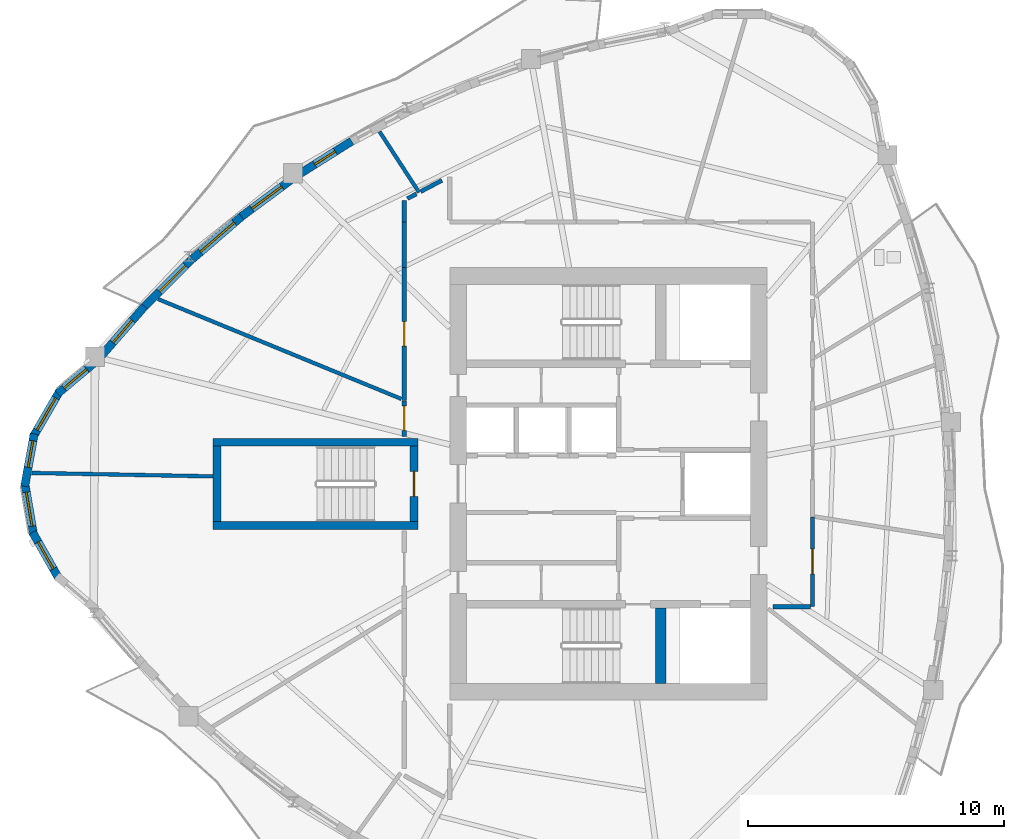
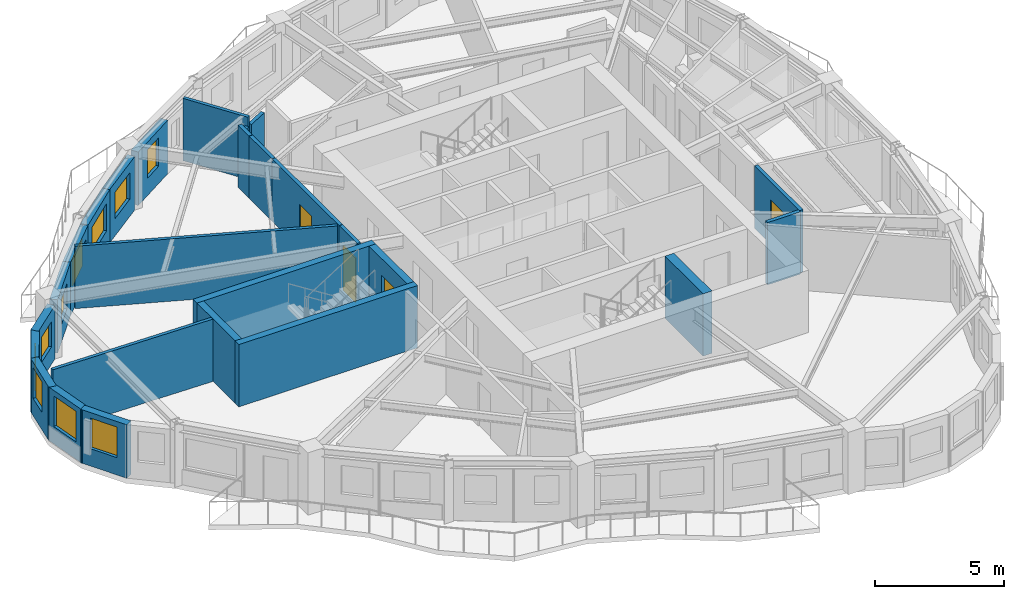
# One storey, part 4 of 12: 26 walls, 10 windows, 4 doors, 14 openings.
"""IFC4 building model written with IfcOpenShell, lengths in metres."""

from ifc_helpers import new_model, si_unit, direction, frame, frame_2d, origin, place, context, subcontext, project, spatial, rectangle, extrude, source, transform, mapped, material, layer, layer_set, type_object, element, fill, save


model = new_model("IFC4")

# Units and contexts
model_context = context("Model", 3, precision=1e-05, world=origin(), true_north=direction((0.0, 1.0)))
body_context = subcontext(model_context, "Body", "Model", "MODEL_VIEW")
ifc_project = project(units=[si_unit("LENGTHUNIT", "METRE"), si_unit("AREAUNIT", "SQUARE_METRE"), si_unit("VOLUMEUNIT", "CUBIC_METRE"), si_unit("PLANEANGLEUNIT", "RADIAN"), si_unit("MASSUNIT", "GRAM", prefix="KILO")], contexts=[model_context])

# Site, building, storey
site_placement = place(None, origin())
site = spatial("IfcSite", under=ifc_project, at=site_placement, CompositionType="ELEMENT")
building_placement = place(site_placement, origin())
building = spatial("IfcBuilding", under=site, at=building_placement, Name="Qafzar Sky-Pleat Residences", CompositionType="ELEMENT")
storey_placement = place(building_placement, frame((0.0, 0.0, 171.39990234375)))
storey = spatial("IfcBuildingStorey", under=building, at=storey_placement, Name="L51", CompositionType="ELEMENT", Elevation=171.39990234375)

# Wall, opening, door
ifc_material_1 = material(Name="Acoustic gypsum plasterboard partition", Category="gypsum")
ifc_layer_1 = layer(ifc_material_1, 0.159912109375)
ifc_layer_set_1 = layer_set([ifc_layer_1], Name="Acoustic gypsum plasterboard partition")
wall_type_1 = type_object("IfcWallType", Name="PART-COR-160", PredefinedType="PARTITIONING", material=ifc_layer_set_1)
wall_1_placement = place(storey_placement, frame((22.3701171875, 29.259033203125, 0.0), z_axis=(0.0, 0.0, 1.0), x_axis=(0.0, 1.0, 0.0)))
wall_1 = element("IfcWall", 1, at=wall_1_placement, inside=storey, type_object=wall_type_1, Name="L51 Partition Wall PART-L51-PW-002", PredefinedType="PARTITIONING", context=body_context, shape_type="SweptSolid", body=[
    extrude(rectangle(XDim=5.19091796875, YDim=0.159912109375, at=frame_2d((2.595458984375, 0.0))), origin(), (0.0, 0.0, 1.0), 2.9501953125),
])
opening_1_placement = place(wall_1_placement, frame((2.12353515625, 0.0, 0.0)))
opening_1 = element("IfcOpeningElement", 2, at=opening_1_placement, cuts=wall_1, Name="Opening ID-06", PredefinedType="OPENING", context=body_context, shape_type="SweptSolid", body=[
    extrude(rectangle(XDim=0.9599609375, YDim=2.10009765625, at=frame_2d((0.47998046875, 1.050048828125))), frame((0.0, 0.08984375, 0.0), z_axis=(0.0, -1.0, 0.0), x_axis=(1.0, 0.0, 0.0)), (0.0, 0.0, 1.0), 0.179931640625),
])
ifc_material_2 = material(Name="Timber-faced fire door", Category="wood")
door_type_1 = type_object("IfcDoorType", Name="DR-STD-960", OperationType="NOTDEFINED", PredefinedType="DOOR", material=ifc_material_2)
shared_shape_1 = source(origin(), body_context, "Body", "SweptSolid", [
    extrude(rectangle(XDim=0.9599609375, YDim=2.10009765625, at=frame_2d((0.47998046875, 1.050048828125))), frame((0.0, 0.02490234375, 0.0), z_axis=(0.0, -1.0, 0.0), x_axis=(1.0, 0.0, 0.0)), (0.0, 0.0, 1.0), 0.050048828125),
])
door_1_placement = place(opening_1_placement, origin())
door_1 = element("IfcDoor", 3, at=door_1_placement, inside=storey, type_object=door_type_1, Name="L51 Faculty Research Office Door", OperationType="SINGLE_SWING_RIGHT", OverallHeight=2.10009765625, OverallWidth=0.9599609375, PredefinedType="DOOR", context=body_context, shape_type="MappedRepresentation", body=[
    mapped(shared_shape_1, transform((0.0, 0.0, 0.0), x_axis=(1.0, 0.0, 0.0), y_axis=(0.0, 1.0, 0.0), z_axis=(0.0, 0.0, 1.0), scale=1.0)),
])
fill(opening_1, door_1)

wall_2_placement = place(storey_placement, frame((38.330078125, 24.705078125, 0.0), z_axis=(0.0, 0.0, 1.0), x_axis=(0.0, -1.0, 0.0)))
wall_2 = element("IfcWall", 4, at=wall_2_placement, inside=storey, type_object=wall_type_1, Name="L51 Partition Wall PART-L51-PW-007", PredefinedType="PARTITIONING", context=body_context, shape_type="SweptSolid", body=[
    extrude(rectangle(XDim=3.505126953125, YDim=0.159912109375, at=frame_2d((1.75244140625, 0.0))), origin(), (0.0, 0.0, 1.0), 2.9501953125),
])
opening_2_placement = place(wall_2_placement, frame((1.257568359375, 0.0, 0.0)))
opening_2 = element("IfcOpeningElement", 5, at=opening_2_placement, cuts=wall_2, Name="Opening ID-06", PredefinedType="OPENING", context=body_context, shape_type="SweptSolid", body=[
    extrude(rectangle(XDim=0.9599609375, YDim=2.10009765625, at=frame_2d((0.47998046875, 1.050048828125))), frame((0.0, 0.08984375, 0.0), z_axis=(0.0, -1.0, 0.0), x_axis=(1.0, 0.0, 0.0)), (0.0, 0.0, 1.0), 0.179931640625),
])
door_2_placement = place(opening_2_placement, origin())
door_2 = element("IfcDoor", 6, at=door_2_placement, inside=storey, type_object=door_type_1, Name="L51 Media Screening Room Door", OperationType="SINGLE_SWING_LEFT", OverallHeight=2.10009765625, OverallWidth=0.9599609375, PredefinedType="DOOR", context=body_context, shape_type="MappedRepresentation", body=[
    mapped(shared_shape_1, transform((0.0, 0.0, 0.0), x_axis=(1.0, 0.0, 0.0), y_axis=(0.0, 1.0, 0.0), z_axis=(0.0, 0.0, 1.0), scale=1.0)),
])
fill(opening_2, door_2)

wall_3_placement = place(storey_placement, frame((22.3701171875, 27.85009765625, 0.0), z_axis=(0.0, 0.0, 1.0), x_axis=(0.0, 1.0, 0.0)))
wall_3 = element("IfcWall", 7, at=wall_3_placement, inside=storey, type_object=wall_type_1, Name="L51 Partition Wall PART-L51-PW-012", PredefinedType="PARTITIONING", context=body_context, shape_type="SweptSolid", body=[
    extrude(rectangle(XDim=1.393798828125, YDim=0.159912109375, at=frame_2d((0.69677734375, 0.0))), origin(), (0.0, 0.0, 1.0), 2.9501953125),
])
opening_3_placement = place(wall_3_placement, frame((0.23876953125, 0.0, 0.0)))
opening_3 = element("IfcOpeningElement", 8, at=opening_3_placement, cuts=wall_3, Name="Opening ID-06", PredefinedType="OPENING", context=body_context, shape_type="SweptSolid", body=[
    extrude(rectangle(XDim=0.9599609375, YDim=2.10009765625, at=frame_2d((0.47998046875, 1.050048828125))), frame((0.0, 0.08984375, 0.0), z_axis=(0.0, -1.0, 0.0), x_axis=(1.0, 0.0, 0.0)), (0.0, 0.0, 1.0), 0.179931640625),
])
door_3_placement = place(opening_3_placement, origin())
door_3 = element("IfcDoor", 9, at=door_3_placement, inside=storey, type_object=door_type_1, Name="L51 Scholar Co-Working Workspace Door", OperationType="SINGLE_SWING_RIGHT", OverallHeight=2.10009765625, OverallWidth=0.9599609375, PredefinedType="DOOR", context=body_context, shape_type="MappedRepresentation", body=[
    mapped(shared_shape_1, transform((0.0, 0.0, 0.0), x_axis=(1.0, 0.0, 0.0), y_axis=(0.0, 1.0, 0.0), z_axis=(0.0, 0.0, 1.0), scale=1.0)),
])
fill(opening_3, door_3)

# Walls
wall_4_placement = place(storey_placement, frame((36.7783203125, 21.199951171875, 0.0), z_axis=(0.0, 0.0, 1.0), x_axis=(1.0, 0.0, 0.0)))
element("IfcWall", 10, at=wall_4_placement, inside=storey, type_object=wall_type_1, Name="L51 Partition Wall PART-L51-PW-025", PredefinedType="PARTITIONING", context=body_context, shape_type="SweptSolid", body=[
    extrude(rectangle(XDim=1.463623046875, YDim=0.159912109375, at=frame_2d((0.73193359375, 0.0))), origin(), (0.0, 0.0, 1.0), 2.9501953125),
])
wall_5_placement = place(storey_placement, frame((22.3701171875, 34.465087890625, 0.0), z_axis=(0.0, 0.0, 1.0), x_axis=(0.0, 1.0, 0.0)))
element("IfcWall", 11, at=wall_5_placement, inside=storey, type_object=wall_type_1, Name="L51 Partition Wall PART-L51-PW-030", PredefinedType="PARTITIONING", context=body_context, shape_type="SweptSolid", body=[
    extrude(rectangle(XDim=1.764892578125, YDim=0.159912109375, at=frame_2d((0.88232421875, 0.0))), origin(), (0.0, 0.0, 1.0), 2.9501953125),
])
wall_6_placement = place(storey_placement, frame((23.013916015625, 37.426025390625, 0.0), z_axis=(0.0, 0.0, 1.0), x_axis=(0.884432472224, 0.466668192697, 0.0)))
element("IfcWall", 12, at=wall_6_placement, inside=storey, type_object=wall_type_1, Name="L51 Partition Wall PART-L51-PW-032", PredefinedType="PARTITIONING", context=body_context, shape_type="SweptSolid", body=[
    extrude(rectangle(XDim=0.9384765625, YDim=0.159912109375, at=frame_2d((0.46923828125, 0.0))), origin(), (0.0, 0.0, 1.0), 2.55810546875),
])
wall_7_placement = place(storey_placement, frame((22.3701171875, 36.2451171875, 0.0), z_axis=(0.0, 0.0, 1.0), x_axis=(0.0, 1.0, 0.0)))
element("IfcWall", 13, at=wall_7_placement, inside=storey, type_object=wall_type_1, Name="L51 Partition Wall PART-L51-PW-033", PredefinedType="PARTITIONING", context=body_context, shape_type="SweptSolid", body=[
    extrude(rectangle(XDim=0.8408203125, YDim=0.159912109375, at=frame_2d((0.42041015625, 0.0))), origin(), (0.0, 0.0, 1.0), 2.9501953125),
])
wall_8_placement = place(storey_placement, frame((22.494384765625, 37.151611328125, 0.0), z_axis=(0.0, 0.0, 1.0), x_axis=(0.884356504768, 0.466812138311, 0.0)))
element("IfcWall", 14, at=wall_8_placement, inside=storey, type_object=wall_type_1, Name="L51 Partition Wall PART-L51-PW-034", PredefinedType="PARTITIONING", context=body_context, shape_type="SweptSolid", body=[
    extrude(rectangle(XDim=0.396484375, YDim=0.159912109375, at=frame_2d((0.1982421875, 0.0))), origin(), (0.0, 0.0, 1.0), 2.55810546875),
])
ifc_layer_2 = layer(ifc_material_1, 0.14501953125)
ifc_layer_set_2 = layer_set([ifc_layer_2], Name="Acoustic gypsum plasterboard partition")
wall_type_2 = type_object("IfcWallType", Name="PART-UNIT-145", PredefinedType="PARTITIONING", material=ifc_layer_set_2)
wall_9_placement = place(storey_placement, frame((12.74853515625, 33.22265625, 0.0), z_axis=(0.0, 0.0, 1.0), x_axis=(0.925160061079, -0.379577213996, 0.0)))
element("IfcWall", 15, at=wall_9_placement, inside=storey, type_object=wall_type_2, Name="L51 Partition Wall PART-L51-PW-013", PredefinedType="PARTITIONING", context=body_context, shape_type="SweptSolid", body=[
    extrude(rectangle(XDim=10.275634765625, YDim=0.14501953125, at=frame_2d((5.1376953125, 0.0))), origin(), (0.0, 0.0, 1.0), 2.9501953125),
])
wall_10_placement = place(storey_placement, frame((7.810546875, 26.428466796875, 0.0), z_axis=(0.0, 0.0, 1.0), x_axis=(0.99982020308, -0.0189621073, 0.0)))
element("IfcWall", 16, at=wall_10_placement, inside=storey, type_object=wall_type_2, Name="L51 Partition Wall PART-L51-PW-017", PredefinedType="PARTITIONING", context=body_context, shape_type="SweptSolid", body=[
    extrude(rectangle(XDim=7.081298828125, YDim=0.14501953125, at=frame_2d((3.54052734375, 0.0))), origin(), (0.0, 0.0, 1.0), 2.9501953125),
])
wall_11_placement = place(storey_placement, frame((21.404541015625, 39.771240234375, 0.0), z_axis=(0.0, 0.0, 1.0), x_axis=(0.544731217197, -0.838610696933, 0.0)))
element("IfcWall", 17, at=wall_11_placement, inside=storey, type_object=wall_type_2, Name="L51 Partition Wall PART-L51-PW-024", PredefinedType="PARTITIONING", context=body_context, shape_type="SweptSolid", body=[
    extrude(rectangle(XDim=2.8369140625, YDim=0.14501953125, at=frame_2d((1.41845703125, 0.0))), origin(), (0.0, 0.0, 1.0), 2.9501953125),
])

# Wall, opening, window
ifc_material_3 = material(Name="Precast concrete C40/50 with honed Riyadh limestone", Category="concrete")
ifc_layer_3 = layer(ifc_material_3, 0.320068359375)
ifc_layer_set_3 = layer_set([ifc_layer_3], Name="Precast concrete C40/50 with honed Riyadh limestone")
wall_type_3 = type_object("IfcWallType", Name="WALL-EXT-320", PredefinedType="SOLIDWALL", material=ifc_layer_set_3)
wall_12_placement = place(storey_placement, frame((10.259521484375, 30.738525390625, 0.0), z_axis=(0.0, 0.0, 1.0), x_axis=(-0.766567176116, -0.642164125829, 0.0)))
wall_12 = element("IfcWall", 18, at=wall_12_placement, inside=storey, type_object=wall_type_3, Name="L51 Limestone Facade Wall 1", PredefinedType="SOLIDWALL", context=body_context, shape_type="SweptSolid", body=[
    extrude(rectangle(XDim=1.878173828125, YDim=0.320068359375, at=frame_2d((0.93896484375, 0.0))), origin(), (0.0, 0.0, 1.0), 2.530029296875),
])
opening_4_placement = place(wall_12_placement, frame((0.39892578125, 0.0, 0.820068359375)))
opening_4 = element("IfcOpeningElement", 19, at=opening_4_placement, cuts=wall_12, Name="Opening WN-16", PredefinedType="OPENING", context=body_context, shape_type="SweptSolid", body=[
    extrude(rectangle(XDim=1.14990234375, YDim=1.199951171875, at=frame_2d((0.574951171875, 0.60009765625))), frame((0.0, 0.169921875, 0.0), z_axis=(0.0, -1.0, 0.0), x_axis=(1.0, 0.0, 0.0)), (0.0, 0.0, 1.0), 0.340087890625),
])
ifc_material_4 = material(Name="Solar-control low-E glass in bronze aluminium frame", Category="glass")
window_type_1 = type_object("IfcWindowType", Name="WIN-16", PartitioningType="SINGLE_PANEL", PredefinedType="WINDOW", material=ifc_material_4)
shared_shape_2 = source(origin(), body_context, "Body", "SweptSolid", [
    extrude(rectangle(XDim=1.14990234375, YDim=1.199951171875, at=frame_2d((0.574951171875, 0.60009765625))), frame((0.0, 0.030029296875, 0.0), z_axis=(0.0, -1.0, 0.0), x_axis=(1.0, 0.0, 0.0)), (0.0, 0.0, 1.0), 0.06005859375),
])
window_1_placement = place(opening_4_placement, origin())
window_1 = element("IfcWindow", 20, at=window_1_placement, inside=storey, type_object=window_type_1, Name="L51 Punched Facade Window 01", OverallHeight=1.199951171875, OverallWidth=1.14990234375, PartitioningType="SINGLE_PANEL", PredefinedType="WINDOW", context=body_context, shape_type="MappedRepresentation", body=[
    mapped(shared_shape_2, transform((0.0, 0.0, 0.0), x_axis=(1.0, 0.0, 0.0), y_axis=(0.0, 1.0, 0.0), z_axis=(0.0, 0.0, 1.0), scale=1.0)),
])
fill(opening_4, window_1)

wall_13_placement = place(storey_placement, frame((8.90380859375, 29.632080078125, 0.0), z_axis=(0.0, 0.0, 1.0), x_axis=(-0.502090235641, -0.864815237651, 0.0)))
wall_13 = element("IfcWall", 21, at=wall_13_placement, inside=storey, type_object=wall_type_3, Name="L51 Limestone Facade Wall 2", PredefinedType="SOLIDWALL", context=body_context, shape_type="SweptSolid", body=[
    extrude(rectangle(XDim=2.0810546875, YDim=0.320068359375, at=frame_2d((1.04052734375, 0.0))), origin(), (0.0, 0.0, 1.0), 2.530029296875),
])
opening_5_placement = place(wall_13_placement, frame((0.3154296875, 0.0, 0.820068359375)))
opening_5 = element("IfcOpeningElement", 22, at=opening_5_placement, cuts=wall_13, Name="Opening WN-15", PredefinedType="OPENING", context=body_context, shape_type="SweptSolid", body=[
    extrude(rectangle(XDim=1.449951171875, YDim=1.25, at=frame_2d((0.72509765625, 0.625))), frame((0.0, 0.169921875, 0.0), z_axis=(0.0, -1.0, 0.0), x_axis=(1.0, 0.0, 0.0)), (0.0, 0.0, 1.0), 0.340087890625),
])
window_type_2 = type_object("IfcWindowType", Name="WIN-15", PartitioningType="SINGLE_PANEL", PredefinedType="WINDOW", material=ifc_material_4)
shared_shape_3 = source(origin(), body_context, "Body", "SweptSolid", [
    extrude(rectangle(XDim=1.449951171875, YDim=1.25, at=frame_2d((0.72509765625, 0.625))), frame((0.0, 0.030029296875, 0.0), z_axis=(0.0, -1.0, 0.0), x_axis=(1.0, 0.0, 0.0)), (0.0, 0.0, 1.0), 0.06005859375),
])
window_2_placement = place(opening_5_placement, origin())
window_2 = element("IfcWindow", 23, at=window_2_placement, inside=storey, type_object=window_type_2, Name="L51 Punched Facade Window 02", OverallHeight=1.25, OverallWidth=1.449951171875, PartitioningType="SINGLE_PANEL", PredefinedType="WINDOW", context=body_context, shape_type="MappedRepresentation", body=[
    mapped(shared_shape_3, transform((0.0, 0.0, 0.0), x_axis=(1.0, 0.0, 0.0), y_axis=(0.0, 1.0, 0.0), z_axis=(0.0, 0.0, 1.0), scale=1.0)),
])
fill(opening_5, window_2)

wall_14_placement = place(storey_placement, frame((7.90380859375, 27.95458984375, 0.0), z_axis=(0.0, 0.0, 1.0), x_axis=(-0.177605215389, -0.984101817632, 0.0)))
wall_14 = element("IfcWall", 24, at=wall_14_placement, inside=storey, type_object=wall_type_3, Name="L51 Limestone Facade Wall 3", PredefinedType="SOLIDWALL", context=body_context, shape_type="SweptSolid", body=[
    extrude(rectangle(XDim=2.081298828125, YDim=0.320068359375, at=frame_2d((1.04052734375, 0.0))), origin(), (0.0, 0.0, 1.0), 2.530029296875),
])
opening_6_placement = place(wall_14_placement, frame((0.276611328125, 0.0, 0.820068359375)))
opening_6 = element("IfcOpeningElement", 25, at=opening_6_placement, cuts=wall_14, Name="Opening WN-06", PredefinedType="OPENING", context=body_context, shape_type="SweptSolid", body=[
    extrude(rectangle(XDim=1.050048828125, YDim=1.449951171875, at=frame_2d((0.52490234375, 0.72509765625))), frame((0.0, 0.169921875, 0.0), z_axis=(0.0, -1.0, 0.0), x_axis=(1.0, 0.0, 0.0)), (0.0, 0.0, 1.0), 0.340087890625),
])
window_type_3 = type_object("IfcWindowType", Name="WIN-06", PartitioningType="SINGLE_PANEL", PredefinedType="WINDOW", material=ifc_material_4)
shared_shape_4 = source(origin(), body_context, "Body", "SweptSolid", [
    extrude(rectangle(XDim=1.050048828125, YDim=1.449951171875, at=frame_2d((0.52490234375, 0.72509765625))), frame((0.0, 0.030029296875, 0.0), z_axis=(0.0, -1.0, 0.0), x_axis=(1.0, 0.0, 0.0)), (0.0, 0.0, 1.0), 0.06005859375),
])
window_3_placement = place(opening_6_placement, origin())
window_3 = element("IfcWindow", 26, at=window_3_placement, inside=storey, type_object=window_type_3, Name="L51 Punched Facade Window 03", OverallHeight=1.449951171875, OverallWidth=1.050048828125, PartitioningType="SINGLE_PANEL", PredefinedType="WINDOW", context=body_context, shape_type="MappedRepresentation", body=[
    mapped(shared_shape_4, transform((0.0, 0.0, 0.0), x_axis=(1.0, 0.0, 0.0), y_axis=(0.0, 1.0, 0.0), z_axis=(0.0, 0.0, 1.0), scale=1.0)),
])
fill(opening_6, window_3)

wall_15_placement = place(storey_placement, frame((7.53466796875, 26.03662109375, 0.0), z_axis=(0.0, 0.0, 1.0), x_axis=(0.168107405166, -0.985768685001, 0.0)))
wall_15 = element("IfcWall", 27, at=wall_15_placement, inside=storey, type_object=wall_type_3, Name="L51 Limestone Facade Wall 4", PredefinedType="SOLIDWALL", context=body_context, shape_type="SweptSolid", body=[
    extrude(rectangle(XDim=2.0810546875, YDim=0.320068359375, at=frame_2d((1.04052734375, 0.0))), origin(), (0.0, 0.0, 1.0), 2.530029296875),
])
opening_7_placement = place(wall_15_placement, frame((0.365478515625, 0.0, 0.820068359375)))
opening_7 = element("IfcOpeningElement", 28, at=opening_7_placement, cuts=wall_15, Name="Opening WN-04", PredefinedType="OPENING", context=body_context, shape_type="SweptSolid", body=[
    extrude(rectangle(XDim=1.35009765625, YDim=1.449951171875, at=frame_2d((0.675048828125, 0.72509765625))), frame((0.0, 0.169921875, 0.0), z_axis=(0.0, -1.0, 0.0), x_axis=(1.0, 0.0, 0.0)), (0.0, 0.0, 1.0), 0.340087890625),
])
window_type_4 = type_object("IfcWindowType", Name="WIN-04", PartitioningType="SINGLE_PANEL", PredefinedType="WINDOW", material=ifc_material_4)
shared_shape_5 = source(origin(), body_context, "Body", "SweptSolid", [
    extrude(rectangle(XDim=1.35009765625, YDim=1.449951171875, at=frame_2d((0.675048828125, 0.72509765625))), frame((0.0, 0.030029296875, 0.0), z_axis=(0.0, -1.0, 0.0), x_axis=(1.0, 0.0, 0.0)), (0.0, 0.0, 1.0), 0.06005859375),
])
window_4_placement = place(opening_7_placement, origin())
window_4 = element("IfcWindow", 29, at=window_4_placement, inside=storey, type_object=window_type_4, Name="L51 Punched Facade Window 04", OverallHeight=1.449951171875, OverallWidth=1.35009765625, PartitioningType="SINGLE_PANEL", PredefinedType="WINDOW", context=body_context, shape_type="MappedRepresentation", body=[
    mapped(shared_shape_5, transform((0.0, 0.0, 0.0), x_axis=(1.0, 0.0, 0.0), y_axis=(0.0, 1.0, 0.0), z_axis=(0.0, 0.0, 1.0), scale=1.0)),
])
fill(opening_7, window_4)

wall_16_placement = place(storey_placement, frame((7.8408203125, 24.10791015625, 0.0), z_axis=(0.0, 0.0, 1.0), x_axis=(0.493660675866, -0.869654607936, 0.0)))
wall_16 = element("IfcWall", 30, at=wall_16_placement, inside=storey, type_object=wall_type_3, Name="L51 Limestone Facade Wall 5", PredefinedType="SOLIDWALL", context=body_context, shape_type="SweptSolid", body=[
    extrude(rectangle(XDim=2.0810546875, YDim=0.320068359375, at=frame_2d((1.04052734375, 0.0))), origin(), (0.0, 0.0, 1.0), 2.530029296875),
])
opening_8_placement = place(wall_16_placement, frame((0.4404296875, 0.0, 0.820068359375)))
opening_8 = element("IfcOpeningElement", 31, at=opening_8_placement, cuts=wall_16, Name="Opening WN-05", PredefinedType="OPENING", context=body_context, shape_type="SweptSolid", body=[
    extrude(rectangle(XDim=1.199951171875, YDim=1.449951171875, at=frame_2d((0.60009765625, 0.72509765625))), frame((0.0, 0.169921875, 0.0), z_axis=(0.0, -1.0, 0.0), x_axis=(1.0, 0.0, 0.0)), (0.0, 0.0, 1.0), 0.340087890625),
])
window_type_5 = type_object("IfcWindowType", Name="WIN-05", PartitioningType="SINGLE_PANEL", PredefinedType="WINDOW", material=ifc_material_4)
shared_shape_6 = source(origin(), body_context, "Body", "SweptSolid", [
    extrude(rectangle(XDim=1.199951171875, YDim=1.449951171875, at=frame_2d((0.60009765625, 0.72509765625))), frame((0.0, 0.030029296875, 0.0), z_axis=(0.0, -1.0, 0.0), x_axis=(1.0, 0.0, 0.0)), (0.0, 0.0, 1.0), 0.06005859375),
])
window_5_placement = place(opening_8_placement, origin())
window_5 = element("IfcWindow", 32, at=window_5_placement, inside=storey, type_object=window_type_5, Name="L51 Punched Facade Window 05", OverallHeight=1.449951171875, OverallWidth=1.199951171875, PartitioningType="SINGLE_PANEL", PredefinedType="WINDOW", context=body_context, shape_type="MappedRepresentation", body=[
    mapped(shared_shape_6, transform((0.0, 0.0, 0.0), x_axis=(1.0, 0.0, 0.0), y_axis=(0.0, 1.0, 0.0), z_axis=(0.0, 0.0, 1.0), scale=1.0)),
])
fill(opening_8, window_5)

wall_17_placement = place(storey_placement, frame((20.315673828125, 39.397705078125, 0.0), z_axis=(0.0, 0.0, 1.0), x_axis=(-0.846391108811, -0.532561818878, 0.0)))
wall_17 = element("IfcWall", 33, at=wall_17_placement, inside=storey, type_object=wall_type_3, Name="L51 Limestone Facade Wall 44", PredefinedType="SOLIDWALL", context=body_context, shape_type="SweptSolid", body=[
    extrude(rectangle(XDim=2.446533203125, YDim=0.320068359375, at=frame_2d((1.22314453125, 0.0))), origin(), (0.0, 0.0, 1.0), 2.530029296875),
])
opening_9_placement = place(wall_17_placement, frame((0.75341796875, 0.0, 0.820068359375)))
opening_9 = element("IfcOpeningElement", 34, at=opening_9_placement, cuts=wall_17, Name="Opening WN-12", PredefinedType="OPENING", context=body_context, shape_type="SweptSolid", body=[
    extrude(rectangle(XDim=0.949951171875, YDim=1.35009765625, at=frame_2d((0.47509765625, 0.675048828125))), frame((0.0, 0.169921875, 0.0), z_axis=(0.0, -1.0, 0.0), x_axis=(1.0, 0.0, 0.0)), (0.0, 0.0, 1.0), 0.340087890625),
])
window_type_6 = type_object("IfcWindowType", Name="WIN-12", PartitioningType="SINGLE_PANEL", PredefinedType="WINDOW", material=ifc_material_4)
shared_shape_7 = source(origin(), body_context, "Body", "SweptSolid", [
    extrude(rectangle(XDim=0.949951171875, YDim=1.35009765625, at=frame_2d((0.47509765625, 0.675048828125))), frame((0.0, 0.030029296875, 0.0), z_axis=(0.0, -1.0, 0.0), x_axis=(1.0, 0.0, 0.0)), (0.0, 0.0, 1.0), 0.06005859375),
])
window_6_placement = place(opening_9_placement, origin())
window_6 = element("IfcWindow", 35, at=window_6_placement, inside=storey, type_object=window_type_6, Name="L51 Punched Facade Window 44", OverallHeight=1.35009765625, OverallWidth=0.949951171875, PartitioningType="SINGLE_PANEL", PredefinedType="WINDOW", context=body_context, shape_type="MappedRepresentation", body=[
    mapped(shared_shape_7, transform((0.0, 0.0, 0.0), x_axis=(1.0, 0.0, 0.0), y_axis=(0.0, 1.0, 0.0), z_axis=(0.0, 0.0, 1.0), scale=1.0)),
])
fill(opening_9, window_6)

wall_18_placement = place(storey_placement, frame((17.982421875, 37.91552734375, 0.0), z_axis=(0.0, 0.0, 1.0), x_axis=(-0.803827672273, -0.594862230511, 0.0)))
wall_18 = element("IfcWall", 36, at=wall_18_placement, inside=storey, type_object=wall_type_3, Name="L51 Limestone Facade Wall 45", PredefinedType="SOLIDWALL", context=body_context, shape_type="SweptSolid", body=[
    extrude(rectangle(XDim=2.461669921875, YDim=0.320068359375, at=frame_2d((1.23095703125, 0.0))), origin(), (0.0, 0.0, 1.0), 2.530029296875),
])
opening_10_placement = place(wall_18_placement, frame((0.500732421875, 0.0, 0.820068359375)))
opening_10 = element("IfcOpeningElement", 37, at=opening_10_placement, cuts=wall_18, Name="Opening WN-15", PredefinedType="OPENING", context=body_context, shape_type="SweptSolid", body=[
    extrude(rectangle(XDim=1.449951171875, YDim=1.25, at=frame_2d((0.72509765625, 0.625))), frame((0.0, 0.169921875, 0.0), z_axis=(0.0, -1.0, 0.0), x_axis=(1.0, 0.0, 0.0)), (0.0, 0.0, 1.0), 0.340087890625),
])
window_7_placement = place(opening_10_placement, origin())
window_7 = element("IfcWindow", 38, at=window_7_placement, inside=storey, type_object=window_type_2, Name="L51 Punched Facade Window 45", OverallHeight=1.25, OverallWidth=1.449951171875, PartitioningType="SINGLE_PANEL", PredefinedType="WINDOW", context=body_context, shape_type="MappedRepresentation", body=[
    mapped(shared_shape_3, transform((0.0, 0.0, 0.0), x_axis=(1.0, 0.0, 0.0), y_axis=(0.0, 1.0, 0.0), z_axis=(0.0, 0.0, 1.0), scale=1.0)),
])
fill(opening_10, window_7)

wall_19_placement = place(storey_placement, frame((16.072265625, 36.506103515625, 0.0), z_axis=(0.0, 0.0, 1.0), x_axis=(-0.757455764876, -0.652886486502, 0.0)))
wall_19 = element("IfcWall", 39, at=wall_19_placement, inside=storey, type_object=wall_type_3, Name="L51 Limestone Facade Wall 46", PredefinedType="SOLIDWALL", context=body_context, shape_type="SweptSolid", body=[
    extrude(rectangle(XDim=2.635986328125, YDim=0.320068359375, at=frame_2d((1.31787109375, 0.0))), origin(), (0.0, 0.0, 1.0), 2.530029296875),
])
opening_11_placement = place(wall_19_placement, frame((0.452880859375, 0.0, 0.820068359375)))
opening_11 = element("IfcOpeningElement", 40, at=opening_11_placement, cuts=wall_19, Name="Opening WN-14", PredefinedType="OPENING", context=body_context, shape_type="SweptSolid", body=[
    extrude(rectangle(XDim=1.75, YDim=1.300048828125, at=frame_2d((0.875, 0.64990234375))), frame((0.0, 0.169921875, 0.0), z_axis=(0.0, -1.0, 0.0), x_axis=(1.0, 0.0, 0.0)), (0.0, 0.0, 1.0), 0.340087890625),
])
window_type_7 = type_object("IfcWindowType", Name="WIN-14", PartitioningType="DOUBLE_PANEL_VERTICAL", PredefinedType="WINDOW", material=ifc_material_4)
shared_shape_8 = source(origin(), body_context, "Body", "SweptSolid", [
    extrude(rectangle(XDim=1.75, YDim=1.300048828125, at=frame_2d((0.875, 0.64990234375))), frame((0.0, 0.030029296875, 0.0), z_axis=(0.0, -1.0, 0.0), x_axis=(1.0, 0.0, 0.0)), (0.0, 0.0, 1.0), 0.06005859375),
])
window_8_placement = place(opening_11_placement, origin())
window_8 = element("IfcWindow", 41, at=window_8_placement, inside=storey, type_object=window_type_7, Name="L51 Punched Facade Window 46", OverallHeight=1.300048828125, OverallWidth=1.75, PartitioningType="SINGLE_PANEL", PredefinedType="WINDOW", context=body_context, shape_type="MappedRepresentation", body=[
    mapped(shared_shape_8, transform((0.0, 0.0, 0.0), x_axis=(1.0, 0.0, 0.0), y_axis=(0.0, 1.0, 0.0), z_axis=(0.0, 0.0, 1.0), scale=1.0)),
])
fill(opening_11, window_8)

wall_20_placement = place(storey_placement, frame((14.054931640625, 34.765869140625, 0.0), z_axis=(0.0, 0.0, 1.0), x_axis=(-0.708335777277, -0.705875645301, 0.0)))
wall_20 = element("IfcWall", 42, at=wall_20_placement, inside=storey, type_object=wall_type_3, Name="L51 Limestone Facade Wall 47", PredefinedType="SOLIDWALL", context=body_context, shape_type="SweptSolid", body=[
    extrude(rectangle(XDim=2.679443359375, YDim=0.320068359375, at=frame_2d((1.33984375, 0.0))), origin(), (0.0, 0.0, 1.0), 2.530029296875),
])
opening_12_placement = place(wall_20_placement, frame((0.316650390625, 0.0, 0.820068359375)))
opening_12 = element("IfcOpeningElement", 43, at=opening_12_placement, cuts=wall_20, Name="Opening WN-15", PredefinedType="OPENING", context=body_context, shape_type="SweptSolid", body=[
    extrude(rectangle(XDim=1.449951171875, YDim=1.25, at=frame_2d((0.72509765625, 0.625))), frame((0.0, 0.169921875, 0.0), z_axis=(0.0, -1.0, 0.0), x_axis=(1.0, 0.0, 0.0)), (0.0, 0.0, 1.0), 0.340087890625),
])
window_9_placement = place(opening_12_placement, origin())
window_9 = element("IfcWindow", 44, at=window_9_placement, inside=storey, type_object=window_type_2, Name="L51 Punched Facade Window 47", OverallHeight=1.25, OverallWidth=1.449951171875, PartitioningType="SINGLE_PANEL", PredefinedType="WINDOW", context=body_context, shape_type="MappedRepresentation", body=[
    mapped(shared_shape_3, transform((0.0, 0.0, 0.0), x_axis=(1.0, 0.0, 0.0), y_axis=(0.0, 1.0, 0.0), z_axis=(0.0, 0.0, 1.0), scale=1.0)),
])
fill(opening_12, window_9)

wall_21_placement = place(storey_placement, frame((12.21630859375, 32.938232421875, 0.0), z_axis=(0.0, 0.0, 1.0), x_axis=(-0.657623701515, -0.753346578412, 0.0)))
wall_21 = element("IfcWall", 45, at=wall_21_placement, inside=storey, type_object=wall_type_3, Name="L51 Limestone Facade Wall 48", PredefinedType="SOLIDWALL", context=body_context, shape_type="SweptSolid", body=[
    extrude(rectangle(XDim=2.59130859375, YDim=0.320068359375, at=frame_2d((1.295654296875, 0.0))), origin(), (0.0, 0.0, 1.0), 2.530029296875),
])
opening_13_placement = place(wall_21_placement, frame((0.7255859375, 0.0, 0.820068359375)))
opening_13 = element("IfcOpeningElement", 46, at=opening_13_placement, cuts=wall_21, Name="Opening WN-16", PredefinedType="OPENING", context=body_context, shape_type="SweptSolid", body=[
    extrude(rectangle(XDim=1.14990234375, YDim=1.199951171875, at=frame_2d((0.574951171875, 0.60009765625))), frame((0.0, 0.169921875, 0.0), z_axis=(0.0, -1.0, 0.0), x_axis=(1.0, 0.0, 0.0)), (0.0, 0.0, 1.0), 0.340087890625),
])
window_10_placement = place(opening_13_placement, origin())
window_10 = element("IfcWindow", 47, at=window_10_placement, inside=storey, type_object=window_type_1, Name="L51 Punched Facade Window 48", OverallHeight=1.199951171875, OverallWidth=1.14990234375, PartitioningType="SINGLE_PANEL", PredefinedType="WINDOW", context=body_context, shape_type="MappedRepresentation", body=[
    mapped(shared_shape_2, transform((0.0, 0.0, 0.0), x_axis=(1.0, 0.0, 0.0), y_axis=(0.0, 1.0, 0.0), z_axis=(0.0, 0.0, 1.0), scale=1.0)),
])
fill(opening_13, window_10)

# Walls
ifc_material_5 = material(Name="Concrete C60/75", Category="concrete")
ifc_layer_4 = layer(ifc_material_5, 0.300048828125)
ifc_layer_set_4 = layer_set([ifc_layer_4], Name="Concrete C60/75")
wall_type_4 = type_object("IfcWallType", Name="WALL-SHEAR-300", PredefinedType="SHEAR", material=ifc_layer_set_4)
for number, where, z_axis, x_axis, name in (
    (48, (14.89990234375, 24.375, 0.0), (0.0, 0.0, 1.0), (1.0, 0.0, 0.0), "L51 ST3 wall S"),
    (49, (22.89990234375, 27.625, 0.0), (0.0, 0.0, 1.0), (-1.0, 0.0, 0.0), "L51 ST3 wall N"),
):
    element("IfcWall", number, at=place(storey_placement, frame(where, z_axis=z_axis, x_axis=x_axis)), inside=storey, type_object=wall_type_4, Name=name, PredefinedType="SHEAR", context=body_context, shape_type="SweptSolid", body=[
        extrude(rectangle(XDim=8.0, YDim=0.300048828125, at=frame_2d((4.0, 0.0))), origin(), (0.0, 0.0, 1.0), 2.9501953125),
    ])
wall_22_placement = place(storey_placement, frame((15.050048828125, 27.47509765625, 0.0), z_axis=(0.0, 0.0, 1.0), x_axis=(0.0, -1.0, 0.0)))
element("IfcWall", 50, at=wall_22_placement, inside=storey, type_object=wall_type_4, Name="L51 ST3 wall W", PredefinedType="SHEAR", context=body_context, shape_type="SweptSolid", body=[
    extrude(rectangle(XDim=2.9501953125, YDim=0.300048828125, at=frame_2d((1.47509765625, 0.0))), origin(), (0.0, 0.0, 1.0), 2.9501953125),
])

# Wall, opening, door
wall_23_placement = place(storey_placement, frame((22.75, 24.52490234375, 0.0), z_axis=(0.0, 0.0, 1.0), x_axis=(0.0, 1.0, 0.0)))
wall_23 = element("IfcWall", 51, at=wall_23_placement, inside=storey, type_object=wall_type_4, Name="L51 ST3 wall E", PredefinedType="SHEAR", context=body_context, shape_type="SweptSolid", body=[
    extrude(rectangle(XDim=2.9501953125, YDim=0.300048828125, at=frame_2d((1.47509765625, 0.0))), origin(), (0.0, 0.0, 1.0), 2.9501953125),
])
opening_14_placement = place(wall_23_placement, frame((0.985107421875, 0.0, 0.0)))
opening_14 = element("IfcOpeningElement", 52, at=opening_14_placement, cuts=wall_23, Name="Opening ID-01", PredefinedType="OPENING", context=body_context, shape_type="SweptSolid", body=[
    extrude(rectangle(XDim=0.97998046875, YDim=2.14990234375, at=frame_2d((0.489990234375, 1.074951171875))), frame((0.0, 0.16015625, 0.0), z_axis=(0.0, -1.0, 0.0), x_axis=(1.0, 0.0, 0.0)), (0.0, 0.0, 1.0), 0.320068359375),
])
door_type_2 = type_object("IfcDoorType", Name="DR-STAIR-980", OperationType="NOTDEFINED", PredefinedType="DOOR", material=ifc_material_2)
shared_shape_9 = source(origin(), body_context, "Body", "SweptSolid", [
    extrude(rectangle(XDim=0.97998046875, YDim=2.14990234375, at=frame_2d((0.489990234375, 1.074951171875))), frame((0.0, 0.02490234375, 0.0), z_axis=(0.0, -1.0, 0.0), x_axis=(1.0, 0.0, 0.0)), (0.0, 0.0, 1.0), 0.050048828125),
])
door_4_placement = place(opening_14_placement, origin())
door_4 = element("IfcDoor", 53, at=door_4_placement, inside=storey, type_object=door_type_2, Name="L51 Stair ST3 Fire Door", OperationType="SINGLE_SWING_LEFT", OverallHeight=2.14990234375, OverallWidth=0.97998046875, PredefinedType="DOOR", context=body_context, shape_type="MappedRepresentation", body=[
    mapped(shared_shape_9, transform((0.0, 0.0, 0.0), x_axis=(1.0, 0.0, 0.0), y_axis=(0.0, 1.0, 0.0), z_axis=(0.0, 0.0, 1.0), scale=1.0)),
])
fill(opening_14, door_4)

# Wall
ifc_layer_5 = layer(ifc_material_5, 0.39990234375)
ifc_layer_set_5 = layer_set([ifc_layer_5], Name="Concrete C60/75")
wall_type_5 = type_object("IfcWallType", Name="WALL-SHEAR-400", PredefinedType="SHEAR", material=ifc_layer_set_5)
wall_24_placement = place(storey_placement, frame((32.39990234375, 18.199951171875, 0.0), z_axis=(0.0, 0.0, 1.0), x_axis=(0.0, 1.0, 0.0)))
element("IfcWall", 54, at=wall_24_placement, inside=storey, type_object=wall_type_5, Name="L51 Stair ST1 East Dividing Wall", PredefinedType="SHEAR", context=body_context, shape_type="SweptSolid", body=[
    extrude(rectangle(XDim=2.949951171875, YDim=0.39990234375, at=frame_2d((1.47509765625, 0.0))), origin(), (0.0, 0.0, 1.0), 2.9501953125),
])

save(model, "model.ifc")
